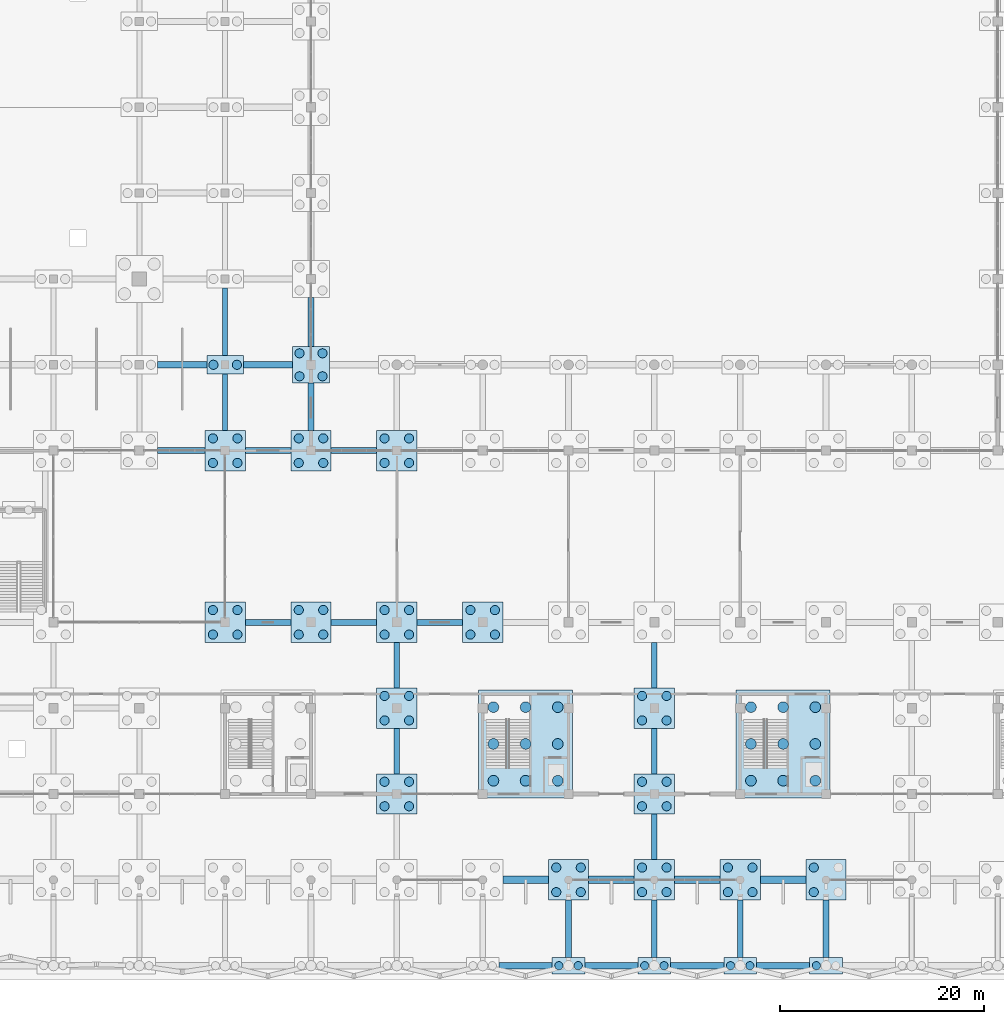
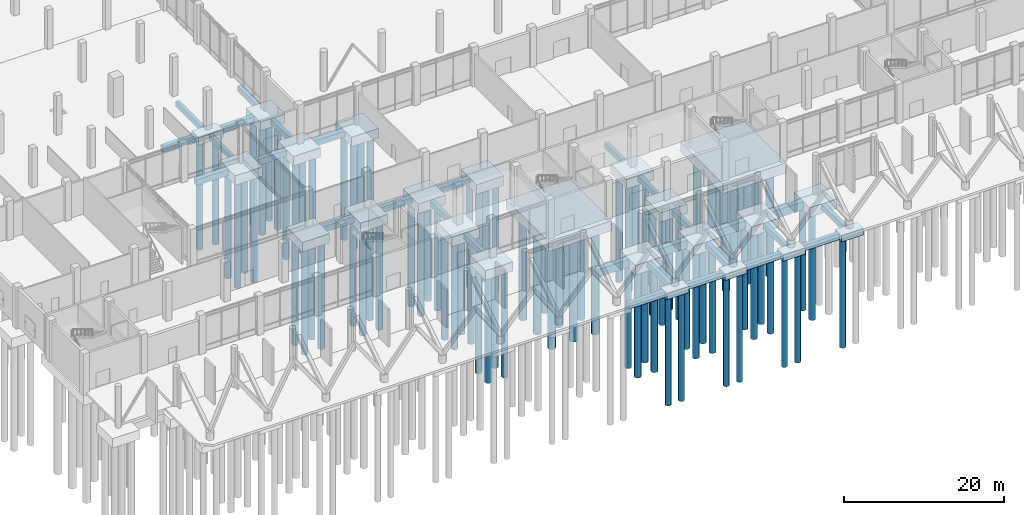
# One storey, part 3 of 72: 89 piles, 52 footings.
"""IFC4 building model written with IfcOpenShell, lengths in metres."""

from ifc_helpers import new_model, si_unit, direction, frame, origin, origin_2d, place, context, subcontext, project, spatial, rectangle, circle, extrude, material, layer, layer_set, material_profile, profile_set, type_object, element, save


model = new_model("IFC4")

# Units and contexts
model_context = context("Model", 3, precision=1e-05, world=origin(), true_north=direction((0.0, 1.0)))
body_context = subcontext(model_context, "Body", "Model", "MODEL_VIEW")
ifc_project = project(units=[si_unit("LENGTHUNIT", "METRE"), si_unit("AREAUNIT", "SQUARE_METRE"), si_unit("VOLUMEUNIT", "CUBIC_METRE"), si_unit("PLANEANGLEUNIT", "RADIAN"), si_unit("MASSUNIT", "GRAM", prefix="KILO")], contexts=[model_context])

# Site, building, storey
site_placement = place(None, origin())
site = spatial("IfcSite", under=ifc_project, at=site_placement, CompositionType="ELEMENT")
building_placement = place(site_placement, origin())
building = spatial("IfcBuilding", under=site, at=building_placement, Name="Qawsi Khor Wholesale Market", CompositionType="ELEMENT")
storey_placement = place(building_placement, origin())
storey = spatial("IfcBuildingStorey", under=building, at=storey_placement, Name="L00", CompositionType="ELEMENT", Elevation=0.0)

# Piles
ifc_material = material(Name="Concrete C45/55", Category="concrete")
ifc_material_profile_1 = material_profile(ifc_material, circle(Radius=0.52490234375, at=origin_2d()), Name="PILE D1050")
ifc_profile_set_1 = profile_set([ifc_material_profile_1], Name="Concrete C45/55")
pile_type_1 = type_object("IfcPileType", Name="Bored Pile D1050 C45/55", PredefinedType="BORED", material=ifc_profile_set_1)
for number, where, z_axis, x_axis, name in (
    (1, (93.449951171875, 9.699951171875, -1.800048828125), (0.0, 0.0, -1.0), (1.0, 0.0, 0.0), "Core bored pile C03-01"),
    (2, (93.449951171875, 13.300048828125, -1.800048828125), (0.0, 0.0, -1.0), (1.0, 0.0, 0.0), "Core bored pile C03-02"),
    (3, (93.449951171875, 16.89990234375, -1.800048828125), (0.0, 0.0, -1.0), (1.0, 0.0, 0.0), "Core bored pile C03-03"),
    (4, (96.60009765625, 9.699951171875, -1.800048828125), (0.0, 0.0, -1.0), (1.0, 0.0, 0.0), "Core bored pile C03-04"),
    (5, (96.60009765625, 13.300048828125, -1.800048828125), (0.0, 0.0, -1.0), (1.0, 0.0, 0.0), "Core bored pile C03-05"),
    (6, (96.60009765625, 16.89990234375, -1.800048828125), (0.0, 0.0, -1.0), (1.0, 0.0, 0.0), "Core bored pile C03-06"),
    (7, (99.75, 9.699951171875, -1.800048828125), (0.0, 0.0, -1.0), (1.0, 0.0, 0.0), "Core bored pile C03-07"),
    (8, (99.75, 13.300048828125, -1.800048828125), (0.0, 0.0, -1.0), (1.0, 0.0, 0.0), "Core bored pile C03-08"),
    (9, (99.75, 16.89990234375, -1.800048828125), (0.0, 0.0, -1.0), (1.0, 0.0, 0.0), "Core bored pile C03-09"),
    (10, (118.64990234375, 9.699951171875, -1.800048828125), (0.0, 0.0, -1.0), (1.0, 0.0, 0.0), "Core bored pile C04-01"),
    (11, (118.64990234375, 13.300048828125, -1.800048828125), (0.0, 0.0, -1.0), (1.0, 0.0, 0.0), "Core bored pile C04-02"),
    (12, (118.64990234375, 16.89990234375, -1.800048828125), (0.0, 0.0, -1.0), (1.0, 0.0, 0.0), "Core bored pile C04-03"),
    (13, (121.800048828125, 9.699951171875, -1.800048828125), (0.0, 0.0, -1.0), (1.0, 0.0, 0.0), "Core bored pile C04-04"),
    (14, (121.800048828125, 13.300048828125, -1.800048828125), (0.0, 0.0, -1.0), (1.0, 0.0, 0.0), "Core bored pile C04-05"),
    (15, (121.800048828125, 16.89990234375, -1.800048828125), (0.0, 0.0, -1.0), (1.0, 0.0, 0.0), "Core bored pile C04-06"),
    (16, (124.949951171875, 9.699951171875, -1.800048828125), (0.0, 0.0, -1.0), (1.0, 0.0, 0.0), "Core bored pile C04-07"),
    (17, (124.949951171875, 13.300048828125, -1.800048828125), (0.0, 0.0, -1.0), (1.0, 0.0, 0.0), "Core bored pile C04-08"),
    (18, (124.949951171875, 16.89990234375, -1.800048828125), (0.0, 0.0, -1.0), (1.0, 0.0, 0.0), "Core bored pile C04-09"),
):
    element("IfcPile", number, at=place(storey_placement, frame(where, z_axis=z_axis, x_axis=x_axis)), inside=storey, type_object=pile_type_1, Name=name, PredefinedType="BORED", context=body_context, shape_type="SweptSolid", body=[
        extrude(circle(Radius=0.52490234375, at=origin_2d()), origin(), (0.0, 0.0, 1.0), 16.199951171875),
    ])
ifc_material_profile_2 = material_profile(ifc_material, circle(Radius=0.39990234375, at=origin_2d()), Name="PILE D800")
ifc_profile_set_2 = profile_set([ifc_material_profile_2], Name="Concrete C45/55")
pile_type_2 = type_object("IfcPileType", Name="Bored Pile D800 C45/55", PredefinedType="BORED", material=ifc_profile_set_2)
for number, where, z_axis, x_axis, name in (
    (19, (99.85009765625, -8.39990234375, -1.2900390625), (0.0, 0.0, -1.0), (1.0, 0.0, 0.0), "Canopy pile 12_-01-1"),
    (20, (101.75, -8.39990234375, -1.2900390625), (0.0, 0.0, -1.0), (1.0, 0.0, 0.0), "Canopy pile 12_-01-2"),
    (21, (108.25, -8.39990234375, -1.2900390625), (0.0, 0.0, -1.0), (1.0, 0.0, 0.0), "Canopy pile 13_-01-1"),
    (22, (110.14990234375, -8.39990234375, -1.2900390625), (0.0, 0.0, -1.0), (1.0, 0.0, 0.0), "Canopy pile 13_-01-2"),
    (23, (116.64990234375, -8.39990234375, -1.2900390625), (0.0, 0.0, -1.0), (1.0, 0.0, 0.0), "Canopy pile 14_-01-1"),
    (24, (118.550048828125, -8.39990234375, -1.2900390625), (0.0, 0.0, -1.0), (1.0, 0.0, 0.0), "Canopy pile 14_-01-2"),
    (25, (125.050048828125, -8.39990234375, -1.2900390625), (0.0, 0.0, -1.0), (1.0, 0.0, 0.0), "Canopy pile 15_-01-1"),
):
    element("IfcPile", number, at=place(storey_placement, frame(where, z_axis=z_axis, x_axis=x_axis)), inside=storey, type_object=pile_type_2, Name=name, PredefinedType="BORED", context=body_context, shape_type="SweptSolid", body=[
        extrude(circle(Radius=0.39990234375, at=origin_2d()), origin(), (0.0, 0.0, 1.0), 16.7099609375),
    ])
ifc_material_profile_3 = material_profile(ifc_material, circle(Radius=0.449951171875, at=origin_2d()), Name="PILE D900")
ifc_profile_set_3 = profile_set([ifc_material_profile_3], Name="Concrete C45/55")
pile_type_3 = type_object("IfcPileType", Name="Bored Pile D900 C45/55", PredefinedType="BORED", material=ifc_profile_set_3)
for number, where, z_axis, x_axis, name in (
    (26, (66.0, 24.0, -1.72998046875), (0.0, 0.0, -1.0), (1.0, 0.0, 0.0), "Bored pile 08_+03-1"),
    (27, (68.39990234375, 24.0, -1.72998046875), (0.0, 0.0, -1.0), (1.0, 0.0, 0.0), "Bored pile 08_+03-2"),
    (28, (66.0, 26.39990234375, -1.72998046875), (0.0, 0.0, -1.0), (1.0, 0.0, 0.0), "Bored pile 08_+03-3"),
    (29, (68.39990234375, 26.39990234375, -1.72998046875), (0.0, 0.0, -1.0), (1.0, 0.0, 0.0), "Bored pile 08_+03-4"),
    (30, (66.0, 40.800048828125, -1.72998046875), (0.0, 0.0, -1.0), (1.0, 0.0, 0.0), "Bored pile 08_+05-1"),
    (31, (68.39990234375, 40.800048828125, -1.72998046875), (0.0, 0.0, -1.0), (1.0, 0.0, 0.0), "Bored pile 08_+05-2"),
    (32, (66.0, 43.199951171875, -1.72998046875), (0.0, 0.0, -1.0), (1.0, 0.0, 0.0), "Bored pile 08_+05-3"),
    (33, (68.39990234375, 43.199951171875, -1.72998046875), (0.0, 0.0, -1.0), (1.0, 0.0, 0.0), "Bored pile 08_+05-4"),
):
    element("IfcPile", number, at=place(storey_placement, frame(where, z_axis=z_axis, x_axis=x_axis)), inside=storey, type_object=pile_type_3, Name=name, PredefinedType="BORED", context=body_context, shape_type="SweptSolid", body=[
        extrude(circle(Radius=0.449951171875, at=origin_2d()), origin(), (0.0, 0.0, 1.0), 16.27001953125),
    ])
for number, where, z_axis, x_axis, name in (
    (34, (66.050048828125, 50.39990234375, -1.5), (0.0, 0.0, -1.0), (1.0, 0.0, 0.0), "Bored pile 08_+06-1"),
    (35, (68.35009765625, 50.39990234375, -1.5), (0.0, 0.0, -1.0), (1.0, 0.0, 0.0), "Bored pile 08_+06-2"),
):
    element("IfcPile", number, at=place(storey_placement, frame(where, z_axis=z_axis, x_axis=x_axis)), inside=storey, type_object=pile_type_3, Name=name, PredefinedType="BORED", context=body_context, shape_type="SweptSolid", body=[
        extrude(circle(Radius=0.449951171875, at=origin_2d()), origin(), (0.0, 0.0, 1.0), 16.5),
    ])
for number, where, z_axis, x_axis, name in (
    (36, (74.39990234375, 24.0, -1.72998046875), (0.0, 0.0, -1.0), (1.0, 0.0, 0.0), "Bored pile 09_+03-1"),
    (37, (76.800048828125, 24.0, -1.72998046875), (0.0, 0.0, -1.0), (1.0, 0.0, 0.0), "Bored pile 09_+03-2"),
    (38, (74.39990234375, 26.39990234375, -1.72998046875), (0.0, 0.0, -1.0), (1.0, 0.0, 0.0), "Bored pile 09_+03-3"),
    (39, (76.800048828125, 26.39990234375, -1.72998046875), (0.0, 0.0, -1.0), (1.0, 0.0, 0.0), "Bored pile 09_+03-4"),
    (40, (74.39990234375, 40.800048828125, -1.72998046875), (0.0, 0.0, -1.0), (1.0, 0.0, 0.0), "Bored pile 09_+05-1"),
    (41, (76.800048828125, 40.800048828125, -1.72998046875), (0.0, 0.0, -1.0), (1.0, 0.0, 0.0), "Bored pile 09_+05-2"),
    (42, (74.39990234375, 43.199951171875, -1.72998046875), (0.0, 0.0, -1.0), (1.0, 0.0, 0.0), "Bored pile 09_+05-3"),
    (43, (76.800048828125, 43.199951171875, -1.72998046875), (0.0, 0.0, -1.0), (1.0, 0.0, 0.0), "Bored pile 09_+05-4"),
):
    element("IfcPile", number, at=place(storey_placement, frame(where, z_axis=z_axis, x_axis=x_axis)), inside=storey, type_object=pile_type_3, Name=name, PredefinedType="BORED", context=body_context, shape_type="SweptSolid", body=[
        extrude(circle(Radius=0.449951171875, at=origin_2d()), origin(), (0.0, 0.0, 1.0), 16.27001953125),
    ])
for number, where, z_axis, x_axis, name in (
    (44, (74.47509765625, 49.27490234375, -1.610107421875), (0.0, 0.0, -1.0), (1.0, 0.0, 0.0), "Bored pile 09_+06-1"),
    (45, (76.72509765625, 49.27490234375, -1.610107421875), (0.0, 0.0, -1.0), (1.0, 0.0, 0.0), "Bored pile 09_+06-2"),
    (46, (74.47509765625, 51.52490234375, -1.610107421875), (0.0, 0.0, -1.0), (1.0, 0.0, 0.0), "Bored pile 09_+06-3"),
    (47, (76.72509765625, 51.52490234375, -1.610107421875), (0.0, 0.0, -1.0), (1.0, 0.0, 0.0), "Bored pile 09_+06-4"),
):
    element("IfcPile", number, at=place(storey_placement, frame(where, z_axis=z_axis, x_axis=x_axis)), inside=storey, type_object=pile_type_3, Name=name, PredefinedType="BORED", context=body_context, shape_type="SweptSolid", body=[
        extrude(circle(Radius=0.449951171875, at=origin_2d()), origin(), (0.0, 0.0, 1.0), 16.389892578125),
    ])
for number, where, z_axis, x_axis, name in (
    (48, (82.800048828125, 7.199951171875, -1.72998046875), (0.0, 0.0, -1.0), (1.0, 0.0, 0.0), "Bored pile 10_+01-1"),
    (49, (85.199951171875, 7.199951171875, -1.72998046875), (0.0, 0.0, -1.0), (1.0, 0.0, 0.0), "Bored pile 10_+01-2"),
    (50, (82.800048828125, 9.60009765625, -1.72998046875), (0.0, 0.0, -1.0), (1.0, 0.0, 0.0), "Bored pile 10_+01-3"),
    (51, (85.199951171875, 9.60009765625, -1.72998046875), (0.0, 0.0, -1.0), (1.0, 0.0, 0.0), "Bored pile 10_+01-4"),
    (52, (82.800048828125, 15.60009765625, -1.72998046875), (0.0, 0.0, -1.0), (1.0, 0.0, 0.0), "Bored pile 10_+02-1"),
    (53, (85.199951171875, 15.60009765625, -1.72998046875), (0.0, 0.0, -1.0), (1.0, 0.0, 0.0), "Bored pile 10_+02-2"),
    (54, (82.800048828125, 18.0, -1.72998046875), (0.0, 0.0, -1.0), (1.0, 0.0, 0.0), "Bored pile 10_+02-3"),
    (55, (85.199951171875, 18.0, -1.72998046875), (0.0, 0.0, -1.0), (1.0, 0.0, 0.0), "Bored pile 10_+02-4"),
    (56, (82.800048828125, 24.0, -1.72998046875), (0.0, 0.0, -1.0), (1.0, 0.0, 0.0), "Bored pile 10_+03-1"),
    (57, (85.199951171875, 24.0, -1.72998046875), (0.0, 0.0, -1.0), (1.0, 0.0, 0.0), "Bored pile 10_+03-2"),
    (58, (82.800048828125, 26.39990234375, -1.72998046875), (0.0, 0.0, -1.0), (1.0, 0.0, 0.0), "Bored pile 10_+03-3"),
    (59, (85.199951171875, 26.39990234375, -1.72998046875), (0.0, 0.0, -1.0), (1.0, 0.0, 0.0), "Bored pile 10_+03-4"),
    (60, (82.800048828125, 40.800048828125, -1.72998046875), (0.0, 0.0, -1.0), (1.0, 0.0, 0.0), "Bored pile 10_+05-1"),
    (61, (85.199951171875, 40.800048828125, -1.72998046875), (0.0, 0.0, -1.0), (1.0, 0.0, 0.0), "Bored pile 10_+05-2"),
    (62, (82.800048828125, 43.199951171875, -1.72998046875), (0.0, 0.0, -1.0), (1.0, 0.0, 0.0), "Bored pile 10_+05-3"),
    (63, (85.199951171875, 43.199951171875, -1.72998046875), (0.0, 0.0, -1.0), (1.0, 0.0, 0.0), "Bored pile 10_+05-4"),
    (64, (91.199951171875, 24.0, -1.72998046875), (0.0, 0.0, -1.0), (1.0, 0.0, 0.0), "Bored pile 11_+03-1"),
    (65, (93.60009765625, 24.0, -1.72998046875), (0.0, 0.0, -1.0), (1.0, 0.0, 0.0), "Bored pile 11_+03-2"),
    (66, (91.199951171875, 26.39990234375, -1.72998046875), (0.0, 0.0, -1.0), (1.0, 0.0, 0.0), "Bored pile 11_+03-3"),
    (67, (93.60009765625, 26.39990234375, -1.72998046875), (0.0, 0.0, -1.0), (1.0, 0.0, 0.0), "Bored pile 11_+03-4"),
    (68, (99.60009765625, -1.199951171875, -1.72998046875), (0.0, 0.0, -1.0), (1.0, 0.0, 0.0), "Bored pile 12_+00-1"),
    (69, (102.0, -1.199951171875, -1.72998046875), (0.0, 0.0, -1.0), (1.0, 0.0, 0.0), "Bored pile 12_+00-2"),
    (70, (99.60009765625, 1.199951171875, -1.72998046875), (0.0, 0.0, -1.0), (1.0, 0.0, 0.0), "Bored pile 12_+00-3"),
    (71, (102.0, 1.199951171875, -1.72998046875), (0.0, 0.0, -1.0), (1.0, 0.0, 0.0), "Bored pile 12_+00-4"),
    (72, (108.0, -1.199951171875, -1.72998046875), (0.0, 0.0, -1.0), (1.0, 0.0, 0.0), "Bored pile 13_+00-1"),
    (73, (110.39990234375, -1.199951171875, -1.72998046875), (0.0, 0.0, -1.0), (1.0, 0.0, 0.0), "Bored pile 13_+00-2"),
    (74, (108.0, 1.199951171875, -1.72998046875), (0.0, 0.0, -1.0), (1.0, 0.0, 0.0), "Bored pile 13_+00-3"),
    (75, (110.39990234375, 1.199951171875, -1.72998046875), (0.0, 0.0, -1.0), (1.0, 0.0, 0.0), "Bored pile 13_+00-4"),
    (76, (108.0, 7.199951171875, -1.72998046875), (0.0, 0.0, -1.0), (1.0, 0.0, 0.0), "Bored pile 13_+01-1"),
    (77, (110.39990234375, 7.199951171875, -1.72998046875), (0.0, 0.0, -1.0), (1.0, 0.0, 0.0), "Bored pile 13_+01-2"),
    (78, (108.0, 9.60009765625, -1.72998046875), (0.0, 0.0, -1.0), (1.0, 0.0, 0.0), "Bored pile 13_+01-3"),
    (79, (110.39990234375, 9.60009765625, -1.72998046875), (0.0, 0.0, -1.0), (1.0, 0.0, 0.0), "Bored pile 13_+01-4"),
    (80, (108.0, 15.60009765625, -1.72998046875), (0.0, 0.0, -1.0), (1.0, 0.0, 0.0), "Bored pile 13_+02-1"),
    (81, (110.39990234375, 15.60009765625, -1.72998046875), (0.0, 0.0, -1.0), (1.0, 0.0, 0.0), "Bored pile 13_+02-2"),
    (82, (108.0, 18.0, -1.72998046875), (0.0, 0.0, -1.0), (1.0, 0.0, 0.0), "Bored pile 13_+02-3"),
    (83, (110.39990234375, 18.0, -1.72998046875), (0.0, 0.0, -1.0), (1.0, 0.0, 0.0), "Bored pile 13_+02-4"),
    (84, (116.39990234375, -1.199951171875, -1.72998046875), (0.0, 0.0, -1.0), (1.0, 0.0, 0.0), "Bored pile 14_+00-1"),
    (85, (118.800048828125, -1.199951171875, -1.72998046875), (0.0, 0.0, -1.0), (1.0, 0.0, 0.0), "Bored pile 14_+00-2"),
    (86, (116.39990234375, 1.199951171875, -1.72998046875), (0.0, 0.0, -1.0), (1.0, 0.0, 0.0), "Bored pile 14_+00-3"),
    (87, (118.800048828125, 1.199951171875, -1.72998046875), (0.0, 0.0, -1.0), (1.0, 0.0, 0.0), "Bored pile 14_+00-4"),
    (88, (124.800048828125, -1.199951171875, -1.72998046875), (0.0, 0.0, -1.0), (1.0, 0.0, 0.0), "Bored pile 15_+00-1"),
    (89, (124.800048828125, 1.199951171875, -1.72998046875), (0.0, 0.0, -1.0), (1.0, 0.0, 0.0), "Bored pile 15_+00-3"),
):
    element("IfcPile", number, at=place(storey_placement, frame(where, z_axis=z_axis, x_axis=x_axis)), inside=storey, type_object=pile_type_3, Name=name, PredefinedType="BORED", context=body_context, shape_type="SweptSolid", body=[
        extrude(circle(Radius=0.449951171875, at=origin_2d()), origin(), (0.0, 0.0, 1.0), 16.27001953125),
    ])

# Footings
ifc_material_profile_4 = material_profile(ifc_material, rectangle(XDim=0.75, YDim=1.199951171875, at=origin_2d()), Name="RC 750x1200")
ifc_profile_set_4 = profile_set([ifc_material_profile_4], Name="Concrete C45/55")
footing_type_1 = type_object("IfcFootingType", Name="Boulevard Strip Footing SF 750x1200", PredefinedType="STRIP_FOOTING", material=ifc_profile_set_4)
footing_1_placement = place(storey_placement, frame((94.375, 0.0, -0.989990234375), z_axis=(1.0, 0.0, 0.0), x_axis=(0.0, 1.0, 0.0)))
element("IfcFooting", 90, at=footing_1_placement, inside=storey, type_object=footing_type_1, Name="Ground tie-beam X 11-12 at Y=0.0", PredefinedType="STRIP_FOOTING", context=body_context, shape_type="SweptSolid", body=[
    extrude(rectangle(XDim=0.75, YDim=1.199951171875, at=origin_2d()), origin(), (0.0, 0.0, 1.0), 4.449951171875),
])
footing_2_placement = place(storey_placement, frame((102.77490234375, 0.0, -0.989990234375), z_axis=(1.0, 0.0, 0.0), x_axis=(0.0, 1.0, 0.0)))
element("IfcFooting", 91, at=footing_2_placement, inside=storey, type_object=footing_type_1, Name="Ground tie-beam X 12-13 at Y=0.0", PredefinedType="STRIP_FOOTING", context=body_context, shape_type="SweptSolid", body=[
    extrude(rectangle(XDim=0.75, YDim=1.199951171875, at=origin_2d()), origin(), (0.0, 0.0, 1.0), 4.4501953125),
])
for number, where, z_axis, x_axis, name in (
    (92, (111.175048828125, 0.0, -0.989990234375), (1.0, 0.0, 0.0), (0.0, 1.0, 0.0), "Ground tie-beam X 13-14 at Y=0.0"),
    (93, (119.574951171875, 0.0, -0.989990234375), (1.0, 0.0, 0.0), (0.0, 1.0, 0.0), "Ground tie-beam X 14-15 at Y=0.0"),
):
    element("IfcFooting", number, at=place(storey_placement, frame(where, z_axis=z_axis, x_axis=x_axis)), inside=storey, type_object=footing_type_1, Name=name, PredefinedType="STRIP_FOOTING", context=body_context, shape_type="SweptSolid", body=[
        extrude(rectangle(XDim=0.75, YDim=1.199951171875, at=origin_2d()), origin(), (0.0, 0.0, 1.0), 4.449951171875),
    ])
ifc_layer_1 = layer(ifc_material, 1.52001953125, Name="Concrete C45/55")
ifc_layer_set_1 = layer_set([ifc_layer_1], Name="Concrete C45/55")
footing_type_2 = type_object("IfcFootingType", Name="Core Pile Raft CR-9P 9200x10600x1520", PredefinedType="PILE_CAP", material=ifc_layer_set_1)
for number, where, z_axis, x_axis, name in (
    (94, (96.60009765625, 13.300048828125, -1.880126953125), (0.0, 0.0, 1.0), (1.0, 0.0, 0.0), "Core pile raft C03"),
    (95, (121.800048828125, 13.300048828125, -1.880126953125), (0.0, 0.0, 1.0), (1.0, 0.0, 0.0), "Core pile raft C04"),
):
    element("IfcFooting", number, at=place(storey_placement, frame(where, z_axis=z_axis, x_axis=x_axis)), inside=storey, type_object=footing_type_2, Name=name, PredefinedType="PILE_CAP", context=body_context, shape_type="SweptSolid", body=[
        extrude(rectangle(XDim=9.199951171875, YDim=10.60009765625, at=origin_2d()), origin(), (0.0, 0.0, 1.0), 1.52001953125),
    ])
ifc_material_profile_5 = material_profile(ifc_material, rectangle(XDim=0.60009765625, YDim=0.89990234375, at=origin_2d()), Name="RC 600x900")
ifc_profile_set_5 = profile_set([ifc_material_profile_5], Name="Concrete C45/55")
footing_type_3 = type_object("IfcFootingType", Name="Ground Tie-Beam GTB 600x900", PredefinedType="FOOTING_BEAM", material=ifc_profile_set_5)
footing_3_placement = place(storey_placement, frame((60.60009765625, 42.0, -0.840087890625), z_axis=(1.0, 0.0, 0.0), x_axis=(0.0, 1.0, 0.0)))
element("IfcFooting", 96, at=footing_3_placement, inside=storey, type_object=footing_type_3, Name="Ground tie-beam X 7-8 at Y=42.0", PredefinedType="FOOTING_BEAM", context=body_context, shape_type="SweptSolid", body=[
    extrude(rectangle(XDim=0.60009765625, YDim=0.89990234375, at=origin_2d()), origin(), (0.0, 0.0, 1.0), 4.625),
])
footing_4_placement = place(storey_placement, frame((60.60009765625, 50.39990234375, -0.840087890625), z_axis=(1.0, 0.0, 0.0), x_axis=(0.0, 1.0, 0.0)))
element("IfcFooting", 97, at=footing_4_placement, inside=storey, type_object=footing_type_3, Name="Ground tie-beam X 7-8 at Y=50.4", PredefinedType="FOOTING_BEAM", context=body_context, shape_type="SweptSolid", body=[
    extrude(rectangle(XDim=0.60009765625, YDim=0.89990234375, at=origin_2d()), origin(), (0.0, 0.0, 1.0), 4.7998046875),
])
for number, where, z_axis, x_axis, name in (
    (98, (69.175048828125, 25.199951171875, -0.840087890625), (1.0, 0.0, 0.0), (0.0, 1.0, 0.0), "Ground tie-beam X 8-9 at Y=25.2"),
    (99, (69.175048828125, 42.0, -0.840087890625), (1.0, 0.0, 0.0), (0.0, 1.0, 0.0), "Ground tie-beam X 8-9 at Y=42.0"),
):
    element("IfcFooting", number, at=place(storey_placement, frame(where, z_axis=z_axis, x_axis=x_axis)), inside=storey, type_object=footing_type_3, Name=name, PredefinedType="FOOTING_BEAM", context=body_context, shape_type="SweptSolid", body=[
        extrude(rectangle(XDim=0.60009765625, YDim=0.89990234375, at=origin_2d()), origin(), (0.0, 0.0, 1.0), 4.449951171875),
    ])
footing_5_placement = place(storey_placement, frame((69.0, 50.39990234375, -0.840087890625), z_axis=(1.0, 0.0, 0.0), x_axis=(0.0, 1.0, 0.0)))
element("IfcFooting", 100, at=footing_5_placement, inside=storey, type_object=footing_type_3, Name="Ground tie-beam X 8-9 at Y=50.4", PredefinedType="FOOTING_BEAM", context=body_context, shape_type="SweptSolid", body=[
    extrude(rectangle(XDim=0.60009765625, YDim=0.89990234375, at=origin_2d()), origin(), (0.0, 0.0, 1.0), 4.800048828125),
])
for number, where, z_axis, x_axis, name in (
    (101, (77.574951171875, 25.199951171875, -0.840087890625), (1.0, 0.0, 0.0), (0.0, 1.0, 0.0), "Ground tie-beam X 9-10 at Y=25.2"),
    (102, (77.574951171875, 42.0, -0.840087890625), (1.0, 0.0, 0.0), (0.0, 1.0, 0.0), "Ground tie-beam X 9-10 at Y=42.0"),
    (103, (85.97509765625, 25.199951171875, -0.840087890625), (1.0, 0.0, 0.0), (0.0, 1.0, 0.0), "Ground tie-beam X 10-11 at Y=25.2"),
):
    element("IfcFooting", number, at=place(storey_placement, frame(where, z_axis=z_axis, x_axis=x_axis)), inside=storey, type_object=footing_type_3, Name=name, PredefinedType="FOOTING_BEAM", context=body_context, shape_type="SweptSolid", body=[
        extrude(rectangle(XDim=0.60009765625, YDim=0.89990234375, at=origin_2d()), origin(), (0.0, 0.0, 1.0), 4.449951171875),
    ])
footing_6_placement = place(storey_placement, frame((94.0, -8.39990234375, -0.840087890625), z_axis=(1.0, 0.0, 0.0), x_axis=(0.0, 1.0, 0.0)))
element("IfcFooting", 104, at=footing_6_placement, inside=storey, type_object=footing_type_3, Name="Ground tie-beam X 11-12 at Y=-8.4", PredefinedType="FOOTING_BEAM", context=body_context, shape_type="SweptSolid", body=[
    extrude(rectangle(XDim=0.60009765625, YDim=0.89990234375, at=origin_2d()), origin(), (0.0, 0.0, 1.0), 5.199951171875),
])
footing_7_placement = place(storey_placement, frame((102.39990234375, -8.39990234375, -0.840087890625), z_axis=(1.0, 0.0, 0.0), x_axis=(0.0, 1.0, 0.0)))
element("IfcFooting", 105, at=footing_7_placement, inside=storey, type_object=footing_type_3, Name="Ground tie-beam X 12-13 at Y=-8.4", PredefinedType="FOOTING_BEAM", context=body_context, shape_type="SweptSolid", body=[
    extrude(rectangle(XDim=0.60009765625, YDim=0.89990234375, at=origin_2d()), origin(), (0.0, 0.0, 1.0), 5.2001953125),
])
for number, where, z_axis, x_axis, name in (
    (106, (110.800048828125, -8.39990234375, -0.840087890625), (1.0, 0.0, 0.0), (0.0, 1.0, 0.0), "Ground tie-beam X 13-14 at Y=-8.4"),
    (107, (119.199951171875, -8.39990234375, -0.840087890625), (1.0, 0.0, 0.0), (0.0, 1.0, 0.0), "Ground tie-beam X 14-15 at Y=-8.4"),
):
    element("IfcFooting", number, at=place(storey_placement, frame(where, z_axis=z_axis, x_axis=x_axis)), inside=storey, type_object=footing_type_3, Name=name, PredefinedType="FOOTING_BEAM", context=body_context, shape_type="SweptSolid", body=[
        extrude(rectangle(XDim=0.60009765625, YDim=0.89990234375, at=origin_2d()), origin(), (0.0, 0.0, 1.0), 5.199951171875),
    ])
ifc_material_profile_6 = material_profile(ifc_material, rectangle(XDim=0.5, YDim=0.800048828125, at=origin_2d()), Name="RC 500x800")
ifc_profile_set_6 = profile_set([ifc_material_profile_6], Name="Concrete C45/55")
footing_type_4 = type_object("IfcFootingType", Name="Hall Tie-Beam GTB 500x800", PredefinedType="FOOTING_BEAM", material=ifc_profile_set_6)
footing_8_placement = place(storey_placement, frame((67.199951171875, 43.97509765625, -0.7900390625), z_axis=(0.0, 1.0, 0.0), x_axis=(-1.0, 0.0, 0.0)))
element("IfcFooting", 108, at=footing_8_placement, inside=storey, type_object=footing_type_4, Name="Ground tie-beam Y 5-6 at X=67.2", PredefinedType="FOOTING_BEAM", context=body_context, shape_type="SweptSolid", body=[
    extrude(rectangle(XDim=0.5, YDim=0.800048828125, at=origin_2d()), origin(), (0.0, 0.0, 1.0), 5.52490234375),
])
footing_9_placement = place(storey_placement, frame((67.199951171875, 51.300048828125, -0.7900390625), z_axis=(0.0, 1.0, 0.0), x_axis=(-1.0, 0.0, 0.0)))
element("IfcFooting", 109, at=footing_9_placement, inside=storey, type_object=footing_type_4, Name="Ground tie-beam Y 6-7 at X=67.2", PredefinedType="FOOTING_BEAM", context=body_context, shape_type="SweptSolid", body=[
    extrude(rectangle(XDim=0.5, YDim=0.800048828125, at=origin_2d()), origin(), (0.0, 0.0, 1.0), 6.599853515625),
])
ifc_material_profile_7 = material_profile(ifc_material, rectangle(XDim=0.550048828125, YDim=0.85009765625, at=origin_2d()), Name="RC 550x850")
ifc_profile_set_7 = profile_set([ifc_material_profile_7], Name="Concrete C45/55")
footing_type_5 = type_object("IfcFootingType", Name="Internal Tie-Beam GTB 550x850", PredefinedType="FOOTING_BEAM", material=ifc_profile_set_7)
footing_10_placement = place(storey_placement, frame((75.60009765625, 43.97509765625, -0.81494140625), z_axis=(0.0, 1.0, 0.0), x_axis=(-1.0, 0.0, 0.0)))
element("IfcFooting", 110, at=footing_10_placement, inside=storey, type_object=footing_type_5, Name="Ground tie-beam Y 5-6 at X=75.6", PredefinedType="FOOTING_BEAM", context=body_context, shape_type="SweptSolid", body=[
    extrude(rectangle(XDim=0.550048828125, YDim=0.85009765625, at=origin_2d()), origin(), (0.0, 0.0, 1.0), 4.625),
])
footing_11_placement = place(storey_placement, frame((75.60009765625, 52.199951171875, -0.81494140625), z_axis=(0.0, 1.0, 0.0), x_axis=(-1.0, 0.0, 0.0)))
element("IfcFooting", 111, at=footing_11_placement, inside=storey, type_object=footing_type_5, Name="Ground tie-beam Y 6-7 at X=75.6", PredefinedType="FOOTING_BEAM", context=body_context, shape_type="SweptSolid", body=[
    extrude(rectangle(XDim=0.550048828125, YDim=0.85009765625, at=origin_2d()), origin(), (0.0, 0.0, 1.0), 4.800048828125),
])
footing_12_placement = place(storey_placement, frame((84.0, 10.375, -0.81494140625), z_axis=(0.0, 1.0, 0.0), x_axis=(-1.0, 0.0, 0.0)))
element("IfcFooting", 112, at=footing_12_placement, inside=storey, type_object=footing_type_5, Name="Ground tie-beam Y 1-2 at X=84.0", PredefinedType="FOOTING_BEAM", context=body_context, shape_type="SweptSolid", body=[
    extrude(rectangle(XDim=0.550048828125, YDim=0.85009765625, at=origin_2d()), origin(), (0.0, 0.0, 1.0), 4.449951171875),
])
footing_13_placement = place(storey_placement, frame((84.0, 18.77490234375, -0.81494140625), z_axis=(0.0, 1.0, 0.0), x_axis=(-1.0, 0.0, 0.0)))
element("IfcFooting", 113, at=footing_13_placement, inside=storey, type_object=footing_type_5, Name="Ground tie-beam Y 2-3 at X=84.0", PredefinedType="FOOTING_BEAM", context=body_context, shape_type="SweptSolid", body=[
    extrude(rectangle(XDim=0.550048828125, YDim=0.85009765625, at=origin_2d()), origin(), (0.0, 0.0, 1.0), 4.4501953125),
])
for number, where, z_axis, x_axis, name in (
    (114, (100.800048828125, -7.60009765625, -0.81494140625), (0.0, 1.0, 0.0), (-1.0, 0.0, 0.0), "Ground tie-beam Y -1-0 at X=100.8"),
    (115, (109.199951171875, -7.60009765625, -0.81494140625), (0.0, 1.0, 0.0), (-1.0, 0.0, 0.0), "Ground tie-beam Y -1-0 at X=109.2"),
):
    element("IfcFooting", number, at=place(storey_placement, frame(where, z_axis=z_axis, x_axis=x_axis)), inside=storey, type_object=footing_type_5, Name=name, PredefinedType="FOOTING_BEAM", context=body_context, shape_type="SweptSolid", body=[
        extrude(rectangle(XDim=0.550048828125, YDim=0.85009765625, at=origin_2d()), origin(), (0.0, 0.0, 1.0), 5.625),
    ])
for number, where, z_axis, x_axis, name in (
    (116, (109.199951171875, 1.97509765625, -0.81494140625), (0.0, 1.0, 0.0), (-1.0, 0.0, 0.0), "Ground tie-beam Y 0-1 at X=109.2"),
    (117, (109.199951171875, 10.375, -0.81494140625), (0.0, 1.0, 0.0), (-1.0, 0.0, 0.0), "Ground tie-beam Y 1-2 at X=109.2"),
):
    element("IfcFooting", number, at=place(storey_placement, frame(where, z_axis=z_axis, x_axis=x_axis)), inside=storey, type_object=footing_type_5, Name=name, PredefinedType="FOOTING_BEAM", context=body_context, shape_type="SweptSolid", body=[
        extrude(rectangle(XDim=0.550048828125, YDim=0.85009765625, at=origin_2d()), origin(), (0.0, 0.0, 1.0), 4.449951171875),
    ])
footing_14_placement = place(storey_placement, frame((109.199951171875, 18.77490234375, -0.81494140625), z_axis=(0.0, 1.0, 0.0), x_axis=(-1.0, 0.0, 0.0)))
element("IfcFooting", 118, at=footing_14_placement, inside=storey, type_object=footing_type_5, Name="Ground tie-beam Y 2-3 at X=109.2", PredefinedType="FOOTING_BEAM", context=body_context, shape_type="SweptSolid", body=[
    extrude(rectangle(XDim=0.550048828125, YDim=0.85009765625, at=origin_2d()), origin(), (0.0, 0.0, 1.0), 4.4501953125),
])
for number, where, z_axis, x_axis, name in (
    (119, (117.60009765625, -7.60009765625, -0.81494140625), (0.0, 1.0, 0.0), (-1.0, 0.0, 0.0), "Ground tie-beam Y -1-0 at X=117.6"),
    (120, (126.0, -7.60009765625, -0.81494140625), (0.0, 1.0, 0.0), (-1.0, 0.0, 0.0), "Ground tie-beam Y -1-0 at X=126.0"),
):
    element("IfcFooting", number, at=place(storey_placement, frame(where, z_axis=z_axis, x_axis=x_axis)), inside=storey, type_object=footing_type_5, Name=name, PredefinedType="FOOTING_BEAM", context=body_context, shape_type="SweptSolid", body=[
        extrude(rectangle(XDim=0.550048828125, YDim=0.85009765625, at=origin_2d()), origin(), (0.0, 0.0, 1.0), 5.625),
    ])
ifc_layer_2 = layer(ifc_material, 1.0, Name="Concrete C45/55")
ifc_layer_set_2 = layer_set([ifc_layer_2], Name="Concrete C45/55")
footing_type_6 = type_object("IfcFootingType", Name="Pile Cap PC-2C 3200x1600x1000", PredefinedType="PILE_CAP", material=ifc_layer_set_2)
for number, where, z_axis, x_axis, name in (
    (121, (100.800048828125, -8.39990234375, -1.360107421875), (0.0, 0.0, 1.0), (1.0, 0.0, 0.0), "Canopy pile cap 12_-01"),
    (122, (109.199951171875, -8.39990234375, -1.360107421875), (0.0, 0.0, 1.0), (1.0, 0.0, 0.0), "Canopy pile cap 13_-01"),
    (123, (117.60009765625, -8.39990234375, -1.360107421875), (0.0, 0.0, 1.0), (1.0, 0.0, 0.0), "Canopy pile cap 14_-01"),
    (124, (126.0, -8.39990234375, -1.360107421875), (0.0, 0.0, 1.0), (1.0, 0.0, 0.0), "Canopy pile cap 15_-01"),
):
    element("IfcFooting", number, at=place(storey_placement, frame(where, z_axis=z_axis, x_axis=x_axis)), inside=storey, type_object=footing_type_6, Name=name, PredefinedType="PILE_CAP", context=body_context, shape_type="SweptSolid", body=[
        extrude(rectangle(XDim=3.199951171875, YDim=1.60009765625, at=origin_2d()), origin(), (0.0, 0.0, 1.0), 1.0),
    ])
ifc_layer_3 = layer(ifc_material, 1.14990234375, Name="Concrete C45/55")
ifc_layer_set_3 = layer_set([ifc_layer_3], Name="Concrete C45/55")
footing_type_7 = type_object("IfcFootingType", Name="Pile Cap PC-2P 3600x1800x1150", PredefinedType="PILE_CAP", material=ifc_layer_set_3)
footing_15_placement = place(storey_placement, frame((67.199951171875, 50.39990234375, -1.510009765625), z_axis=(0.0, 0.0, 1.0), x_axis=(1.0, 0.0, 0.0)))
element("IfcFooting", 125, at=footing_15_placement, inside=storey, type_object=footing_type_7, Name="Two-pile cap 08_+06", PredefinedType="PILE_CAP", context=body_context, shape_type="SweptSolid", body=[
    extrude(rectangle(XDim=3.60009765625, YDim=1.800048828125, at=origin_2d()), origin(), (0.0, 0.0, 1.0), 1.14990234375),
])
ifc_layer_4 = layer(ifc_material, 1.43994140625, Name="Concrete C45/55")
ifc_layer_set_4 = layer_set([ifc_layer_4], Name="Concrete C45/55")
footing_type_8 = type_object("IfcFootingType", Name="Pile Cap PC-4H 3950x3950x1440", PredefinedType="PILE_CAP", material=ifc_layer_set_4)
for number, where, z_axis, x_axis, name in (
    (126, (67.199951171875, 25.199951171875, -1.800048828125), (0.0, 0.0, 1.0), (1.0, 0.0, 0.0), "Four-pile heavy cap 08_+03"),
    (127, (67.199951171875, 42.0, -1.800048828125), (0.0, 0.0, 1.0), (1.0, 0.0, 0.0), "Four-pile heavy cap 08_+05"),
    (128, (75.60009765625, 25.199951171875, -1.800048828125), (0.0, 0.0, 1.0), (1.0, 0.0, 0.0), "Four-pile heavy cap 09_+03"),
    (129, (75.60009765625, 42.0, -1.800048828125), (0.0, 0.0, 1.0), (1.0, 0.0, 0.0), "Four-pile heavy cap 09_+05"),
    (130, (84.0, 8.39990234375, -1.800048828125), (0.0, 0.0, 1.0), (1.0, 0.0, 0.0), "Four-pile heavy cap 10_+01"),
    (131, (84.0, 16.800048828125, -1.800048828125), (0.0, 0.0, 1.0), (1.0, 0.0, 0.0), "Four-pile heavy cap 10_+02"),
    (132, (84.0, 25.199951171875, -1.800048828125), (0.0, 0.0, 1.0), (1.0, 0.0, 0.0), "Four-pile heavy cap 10_+03"),
    (133, (84.0, 42.0, -1.800048828125), (0.0, 0.0, 1.0), (1.0, 0.0, 0.0), "Four-pile heavy cap 10_+05"),
    (134, (92.39990234375, 25.199951171875, -1.800048828125), (0.0, 0.0, 1.0), (1.0, 0.0, 0.0), "Four-pile heavy cap 11_+03"),
    (135, (100.800048828125, 0.0, -1.800048828125), (0.0, 0.0, 1.0), (1.0, 0.0, 0.0), "Four-pile heavy cap 12_+00"),
    (136, (109.199951171875, 0.0, -1.800048828125), (0.0, 0.0, 1.0), (1.0, 0.0, 0.0), "Four-pile heavy cap 13_+00"),
    (137, (109.199951171875, 8.39990234375, -1.800048828125), (0.0, 0.0, 1.0), (1.0, 0.0, 0.0), "Four-pile heavy cap 13_+01"),
    (138, (109.199951171875, 16.800048828125, -1.800048828125), (0.0, 0.0, 1.0), (1.0, 0.0, 0.0), "Four-pile heavy cap 13_+02"),
    (139, (117.60009765625, 0.0, -1.800048828125), (0.0, 0.0, 1.0), (1.0, 0.0, 0.0), "Four-pile heavy cap 14_+00"),
    (140, (126.0, 0.0, -1.800048828125), (0.0, 0.0, 1.0), (1.0, 0.0, 0.0), "Four-pile heavy cap 15_+00"),
):
    element("IfcFooting", number, at=place(storey_placement, frame(where, z_axis=z_axis, x_axis=x_axis)), inside=storey, type_object=footing_type_8, Name=name, PredefinedType="PILE_CAP", context=body_context, shape_type="SweptSolid", body=[
        extrude(rectangle(XDim=3.949951171875, YDim=3.949951171875, at=origin_2d()), origin(), (0.0, 0.0, 1.0), 1.43994140625),
    ])
ifc_layer_5 = layer(ifc_material, 1.320068359375, Name="Concrete C45/55")
ifc_layer_set_5 = layer_set([ifc_layer_5], Name="Concrete C45/55")
footing_type_9 = type_object("IfcFootingType", Name="Pile Cap PC-4P 3600x3600x1320", PredefinedType="PILE_CAP", material=ifc_layer_set_5)
footing_16_placement = place(storey_placement, frame((75.60009765625, 50.39990234375, -1.68017578125), z_axis=(0.0, 0.0, 1.0), x_axis=(1.0, 0.0, 0.0)))
element("IfcFooting", 141, at=footing_16_placement, inside=storey, type_object=footing_type_9, Name="Four-pile cap 09_+06", PredefinedType="PILE_CAP", context=body_context, shape_type="SweptSolid", body=[
    extrude(rectangle(XDim=3.60009765625, YDim=3.60009765625, at=origin_2d()), origin(), (0.0, 0.0, 1.0), 1.320068359375),
])

save(model, "model.ifc")
